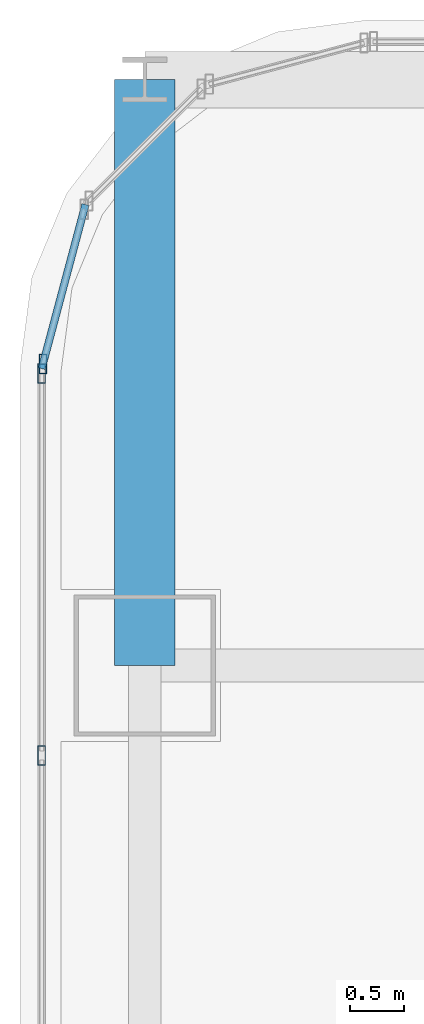
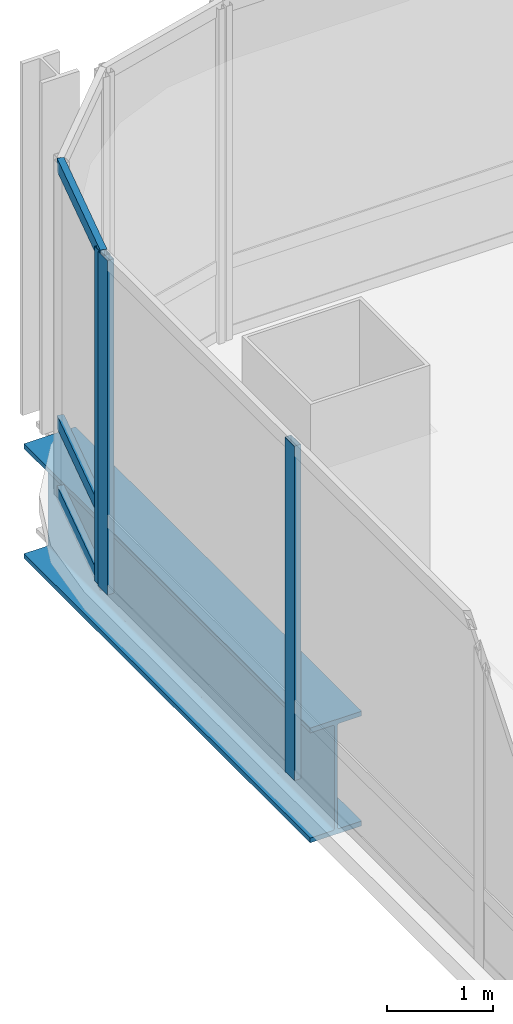
# One storey, part 22 of 40: 6 members, 1 beam, 2 elements without a shape of their own.
"""IFC4 building model written with IfcOpenShell, lengths in metres."""

from ifc_helpers import new_model, si_unit, direction, frame, origin, origin_2d, place, context, subcontext, project, spatial, hollow_rectangle, i_section, extrude, material, material_profile, profile_set, type_object, element, aggregate, save


model = new_model("IFC4")

# Units and contexts
model_context = context("Model", 3, precision=1e-05, world=origin(), true_north=direction((0.0, 1.0)))
body_context = subcontext(model_context, "Body", "Model", "MODEL_VIEW")
ifc_project = project(units=[si_unit("LENGTHUNIT", "METRE"), si_unit("AREAUNIT", "SQUARE_METRE"), si_unit("VOLUMEUNIT", "CUBIC_METRE"), si_unit("PLANEANGLEUNIT", "RADIAN"), si_unit("MASSUNIT", "GRAM", prefix="KILO")], contexts=[model_context])

# Site, building, storey
site_placement = place(None, origin())
site = spatial("IfcSite", under=ifc_project, at=site_placement, CompositionType="ELEMENT")
building_placement = place(site_placement, origin())
building = spatial("IfcBuilding", under=site, at=building_placement, Name="Punatoya Terracotta Tower", CompositionType="ELEMENT")
storey_placement = place(building_placement, frame((0.0, 0.0, 271.64990234375)))
storey = spatial("IfcBuildingStorey", under=building, at=storey_placement, Name="L64", CompositionType="ELEMENT", Elevation=271.64990234375)

# Beam
ifc_material_1 = material(Name="Steel S460", Category="steel")
ifc_material_profile_1 = material_profile(ifc_material_1, i_section(OverallWidth=0.56005859375, OverallDepth=1.320068359375, WebThickness=0.035888671875, FlangeThickness=0.054931640625, FilletRadius=0.01806640625, at=origin_2d()))
ifc_profile_set_1 = profile_set([ifc_material_profile_1], Name="Steel S460")
beam_type = type_object("IfcBeamType", Name="BM-TG-BLK", PredefinedType="BEAM", material=ifc_profile_set_1)
beam_placement = place(storey_placement, frame((-19.10009765625, 17.5, -0.85986328125), z_axis=(0.0, 1.0, 0.0), x_axis=(-1.0, 0.0, 0.0)))
element("IfcBeam", 1, at=beam_placement, inside=storey, type_object=beam_type, Name="BM-L64-CANT-N1", PredefinedType="BEAM", context=body_context, shape_type="SweptSolid", body=[
    extrude(i_section(OverallWidth=0.56005859375, OverallDepth=1.320068359375, WebThickness=0.035888671875, FlangeThickness=0.054931640625, FilletRadius=0.01806640625, at=origin_2d()), origin(), (0.0, 0.0, 1.0), 5.39990234375),
])

# Curtain wall, member
ifc_material_2 = material(Name="Aluminium 6063-T6 + Double Low-E Glass", Category="aluminium")
curtain_wall_type = type_object("IfcCurtainWallType", Name="CW-M3", PredefinedType="NOTDEFINED", material=ifc_material_2)
curtain_wall_1_placement = place(storey_placement, origin())
curtain_wall_1 = element("IfcCurtainWall", 2, at=curtain_wall_1_placement, inside=storey, type_object=curtain_wall_type, Name="L64 Curtain Wall CW-L64-CRN12", PredefinedType="NOTDEFINED")
ifc_material_3 = material(Name="Aluminium 6063-T6", Category="aluminium")
ifc_material_profile_2 = material_profile(ifc_material_3, hollow_rectangle(XDim=0.070068359375, YDim=0.179931640625, WallThickness=0.00390625, at=origin_2d()))
ifc_profile_set_2 = profile_set([ifc_material_profile_2], Name="Aluminium 6063-T6")
member_type_1 = type_object("IfcMemberType", Name="CW-MUL-M3", PredefinedType="MULLION", material=ifc_profile_set_2)
member_1_placement = place(storey_placement, frame((-20.038330078125, 20.280517578125, 0.0), z_axis=(0.0, 0.0, 1.0), x_axis=(1.0, 0.0, 0.0)))
member_1 = element("IfcMember", 3, at=member_1_placement, type_object=member_type_1, Name="CW-L64-CRN12 Mullion 01", PredefinedType="MULLION", context=body_context, shape_type="SweptSolid", body=[
    extrude(hollow_rectangle(XDim=0.070068359375, YDim=0.179931640625, WallThickness=0.00390625, at=origin_2d()), origin(), (0.0, 0.0, 1.0), 3.85009765625),
])

# Curtain wall, members
curtain_wall_2_placement = place(storey_placement, origin())
curtain_wall_2 = element("IfcCurtainWall", 4, at=curtain_wall_2_placement, inside=storey, type_object=curtain_wall_type, Name="L64 Curtain Wall CW-L64-W13-1", PredefinedType="NOTDEFINED")
member_2_placement = place(storey_placement, frame((-20.050048828125, 20.19189453125, 0.0), z_axis=(0.0, 0.0, 1.0), x_axis=(1.0, 0.0, 0.0)))
member_2 = element("IfcMember", 5, at=member_2_placement, type_object=member_type_1, Name="CW-L64-W13-1 Mullion 00", PredefinedType="MULLION", context=body_context, shape_type="SweptSolid", body=[
    extrude(hollow_rectangle(XDim=0.070068359375, YDim=0.179931640625, WallThickness=0.00390625, at=origin_2d()), origin(), (0.0, 0.0, 1.0), 3.85009765625),
])
member_3_placement = place(storey_placement, frame((-20.050048828125, 16.66943359375, 0.0), z_axis=(0.0, 0.0, 1.0), x_axis=(1.0, 0.0, 0.0)))
member_3 = element("IfcMember", 6, at=member_3_placement, type_object=member_type_1, Name="CW-L64-W13-1 Mullion 01", PredefinedType="MULLION", context=body_context, shape_type="SweptSolid", body=[
    extrude(hollow_rectangle(XDim=0.070068359375, YDim=0.179931640625, WallThickness=0.00390625, at=origin_2d()), origin(), (0.0, 0.0, 1.0), 3.85009765625),
])
aggregate(curtain_wall_2, [member_2, member_3])

# Member
ifc_material_profile_3 = material_profile(ifc_material_3, hollow_rectangle(XDim=0.068115234375, YDim=0.14990234375, WallThickness=0.00390625, at=origin_2d()))
ifc_profile_set_3 = profile_set([ifc_material_profile_3], Name="Aluminium 6063-T6")
member_type_2 = type_object("IfcMemberType", Name="CW-TRN-TYP", PredefinedType="USERDEFINED", material=ifc_profile_set_3)
member_4_placement = place(storey_placement, frame((-19.646484375, 21.7490234375, 0.0400390625), z_axis=(-0.257847112249, -0.966185730957, 0.0), x_axis=(0.966185730957, -0.257847112249, 0.0)))
member_4 = element("IfcMember", 7, at=member_4_placement, type_object=member_type_2, Name="CW-L64-CRN12 Transom 1", ObjectType="TRANSOM", PredefinedType="USERDEFINED", context=body_context, shape_type="SweptSolid", body=[
    extrude(hollow_rectangle(XDim=0.068115234375, YDim=0.14990234375, WallThickness=0.00390625, at=origin_2d()), origin(), (0.0, 0.0, 1.0), 1.565185546875),
])

member_5_placement = place(storey_placement, frame((-19.646484375, 21.7490234375, 0.85009765625), z_axis=(-0.257847112249, -0.966185730957, 0.0), x_axis=(0.966185730957, -0.257847112249, 0.0)))
member_5 = element("IfcMember", 8, at=member_5_placement, type_object=member_type_2, Name="CW-L64-CRN12 Transom 2", ObjectType="TRANSOM", PredefinedType="USERDEFINED", context=body_context, shape_type="SweptSolid", body=[
    extrude(hollow_rectangle(XDim=0.068115234375, YDim=0.14990234375, WallThickness=0.00390625, at=origin_2d()), origin(), (0.0, 0.0, 1.0), 1.565185546875),
])

member_6_placement = place(storey_placement, frame((-19.646484375, 21.7490234375, 3.81005859375), z_axis=(-0.257847112249, -0.966185730957, 0.0), x_axis=(0.966185730957, -0.257847112249, 0.0)))
member_6 = element("IfcMember", 9, at=member_6_placement, type_object=member_type_2, Name="CW-L64-CRN12 Transom 3", ObjectType="TRANSOM", PredefinedType="USERDEFINED", context=body_context, shape_type="SweptSolid", body=[
    extrude(hollow_rectangle(XDim=0.068115234375, YDim=0.14990234375, WallThickness=0.00390625, at=origin_2d()), origin(), (0.0, 0.0, 1.0), 1.565185546875),
])

aggregate(curtain_wall_1, [member_1, member_4, member_5, member_6])

save(model, "model.ifc")
